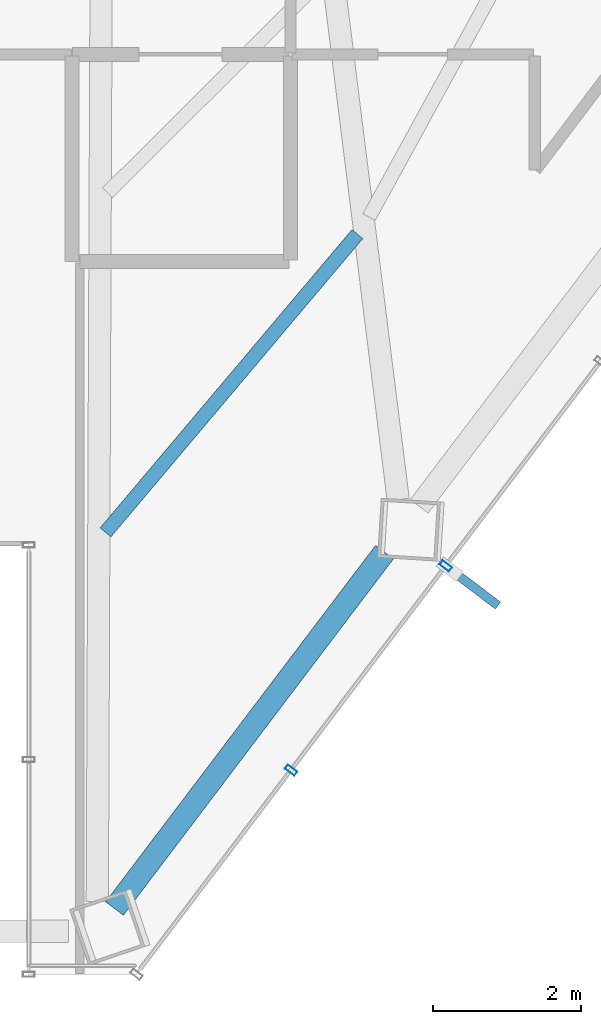
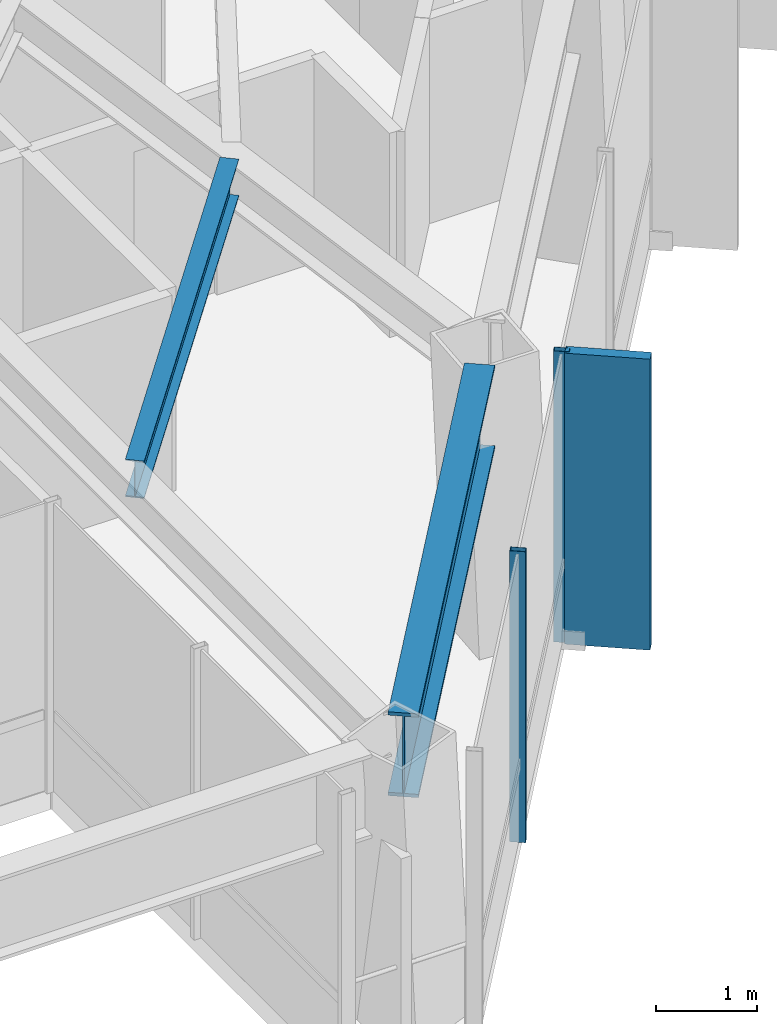
# One storey, part 18 of 30: 3 members, 2 beams, 1 element without a shape of its own.
"""IFC4 building model written with IfcOpenShell, lengths in metres."""

import ifcopenshell
import ifcopenshell.guid

model = None  # the IFC model being written
_history = None  # IfcOwnerHistory: only IFC2X3 demands one
_inside = {}  # id of a spatial element -> (the spatial element, [elements in it])
_under = {}  # id of a project, library or spatial element -> (it, [spatial elements below it])
_declared = {}  # id of a project -> (the project, [libraries it declares])
_typed = {}  # id of a type object -> (the type object, [elements of that type])
_made_of = {}  # id of a material, layer set ... -> (it, [elements and type objects made of it])


def new_model(schema):
    """Start an empty IFC model of exactly this schema.

    Asked for "IFC4X3", IfcOpenShell would pick the latest addendum, in which some entities
    have other attributes; the version numbers below select the first issue.
    IFC2X3 requires an IfcOwnerHistory on every rooted entity: one is made here for all.
    """
    global model, _history
    if schema == "IFC4X3":
        model = ifcopenshell.file(schema_version=(4, 3, 0, 0))
    else:
        model = ifcopenshell.file(schema=schema)
    _inside.clear()
    _under.clear()
    _declared.clear()
    _typed.clear()
    _made_of.clear()
    _history = None
    if model.schema == "IFC2X3":
        org = make("IfcOrganization", Name="unknown")
        user = make(
            "IfcPersonAndOrganization",
            ThePerson=make("IfcPerson", FamilyName="unknown"),
            TheOrganization=org,
        )
        app = make(
            "IfcApplication",
            ApplicationDeveloper=org,
            Version="unknown",
            ApplicationFullName="unknown",
            ApplicationIdentifier="unknown",
        )
        _history = make(
            "IfcOwnerHistory",
            OwningUser=user,
            OwningApplication=app,
            ChangeAction="ADDED",
            CreationDate=0,
        )
    return model


def make(cls, **values):
    """One entity of the class cls with the attributes given. An attribute that is None is left unset."""
    return model.create_entity(
        cls, **{name: value for name, value in values.items() if value is not None}
    )


def rooted(cls, **values):
    """An entity with a GlobalId (a new one), such as an element, a storey or a relation."""
    return make(cls, GlobalId=ifcopenshell.guid.new(), OwnerHistory=_history, **values)


def si_unit(unit_type, name, prefix=None):
    """IfcSIUnit, for example si_unit("LENGTHUNIT", "METRE", prefix="MILLI")."""
    return make("IfcSIUnit", UnitType=unit_type, Prefix=prefix, Name=name)


def assignment(units):
    """IfcUnitAssignment: the units of a project."""
    return None if units is None else make("IfcUnitAssignment", Units=units)


def point(xyz):
    """IfcCartesianPoint."""
    return None if xyz is None else make("IfcCartesianPoint", Coordinates=xyz)


def direction(xyz):
    """IfcDirection."""
    return None if xyz is None else make("IfcDirection", DirectionRatios=xyz)


def frame(location, z_axis=None, x_axis=None):
    """IfcAxis2Placement3D, a coordinate frame: its origin and axes. An axis left out is left unset."""
    return make(
        "IfcAxis2Placement3D",
        Location=point(location),
        Axis=direction(z_axis),
        RefDirection=direction(x_axis),
    )


def frame_2d(location, x_axis=None):
    """IfcAxis2Placement2D, a coordinate frame in the plane: its origin and x axis."""
    return make(
        "IfcAxis2Placement2D", Location=point(location), RefDirection=direction(x_axis)
    )


def origin():
    """The frame at (0, 0, 0) with its axes left unset."""
    return frame((0.0, 0.0, 0.0))


def origin_2d():
    """The frame at (0, 0) in the plane with its x axis left unset."""
    return frame_2d((0.0, 0.0))


def place(relative_to, where):
    """IfcLocalPlacement: puts the frame where relative to a parent placement (None: the world)."""
    return make(
        "IfcLocalPlacement", PlacementRelTo=relative_to, RelativePlacement=where
    )


def context(
    kind, dimensions, precision=None, world=None, true_north=None, identifier=None
):
    """IfcGeometricRepresentationContext, for example the 3D "Model" context."""
    return make(
        "IfcGeometricRepresentationContext",
        ContextIdentifier=identifier,
        ContextType=kind,
        CoordinateSpaceDimension=dimensions,
        Precision=precision,
        WorldCoordinateSystem=world,
        TrueNorth=true_north,
    )


def subcontext(parent, identifier, kind, view, scale=None):
    """IfcGeometricRepresentationSubContext, for example "Body" below "Model"."""
    return make(
        "IfcGeometricRepresentationSubContext",
        ContextIdentifier=identifier,
        ContextType=kind,
        ParentContext=parent,
        TargetScale=scale,
        TargetView=view,
    )


def project(units=None, contexts=None):
    """IfcProject with its units and contexts."""
    return rooted(
        "IfcProject",
        Name="project",
        RepresentationContexts=contexts,
        UnitsInContext=assignment(units),
    )


def spatial(cls, under=None, at=None, **own):
    """A site, building, storey or space (cls), placed at a placement, below another one or the project."""
    s = rooted(cls, ObjectPlacement=at, **own)
    if under is not None:
        _under.setdefault(under.id(), (under, []))[1].append(s)
    return s


def profile(cls, at=None, kind="AREA", **sizes):
    """A parametric profile (cls). Its sizes go by their IFC names, for example OverallWidth=200.0."""
    return make(cls, ProfileType=kind, Position=at, **sizes)


def rectangle(**sizes):
    """IfcRectangleProfileDef."""
    return profile("IfcRectangleProfileDef", **sizes)


def hollow_rectangle(**sizes):
    """IfcRectangleHollowProfileDef."""
    return profile("IfcRectangleHollowProfileDef", **sizes)


def i_section(**sizes):
    """IfcIShapeProfileDef."""
    return profile("IfcIShapeProfileDef", **sizes)


def extrude(swept, where, along, depth):
    """IfcExtrudedAreaSolid: the profile swept, set in the frame where, extruded along a direction by depth."""
    return make(
        "IfcExtrudedAreaSolid",
        SweptArea=swept,
        Position=where,
        ExtrudedDirection=direction(along),
        Depth=depth,
    )


def shape(context_of_items, identifier, shape_type, items):
    """IfcShapeRepresentation: the items that make up one representation, for example the "Body"."""
    return make(
        "IfcShapeRepresentation",
        ContextOfItems=context_of_items,
        RepresentationIdentifier=identifier,
        RepresentationType=shape_type,
        Items=items,
    )


def material(Name=None, Category=None):
    """IfcMaterial."""
    return make("IfcMaterial", Name=Name, Category=Category)


def layer(
    of_material, thickness, ventilated=None, Name=None, Category=None, Priority=None
):
    """IfcMaterialLayer: one layer of a wall or slab, of a material (None: an air gap)."""
    return make(
        "IfcMaterialLayer",
        Material=of_material,
        LayerThickness=thickness,
        IsVentilated=ventilated,
        Name=Name,
        Category=Category,
        Priority=Priority,
    )


def layer_set(layers, Name=None):
    """IfcMaterialLayerSet."""
    return make("IfcMaterialLayerSet", MaterialLayers=layers, LayerSetName=Name)


def material_profile(
    of_material, cross_section, Name=None, Category=None, Priority=None
):
    """IfcMaterialProfile: a cross section and its material."""
    return make(
        "IfcMaterialProfile",
        Name=Name,
        Material=of_material,
        Profile=cross_section,
        Priority=Priority,
        Category=Category,
    )


def profile_set(profiles, Name=None, composite=None):
    """IfcMaterialProfileSet."""
    return make(
        "IfcMaterialProfileSet",
        Name=Name,
        MaterialProfiles=profiles,
        CompositeProfile=composite,
    )


def made_of(thing, what):
    """Note that an element or type object is made of a material, layer set ...; save() writes the relation."""
    if what is not None:
        _made_of.setdefault(what.id(), (what, []))[1].append(thing)
    return thing


def type_object(cls, material=None, **own):
    """A type object (cls), such as IfcWallType, which elements share."""
    return made_of(rooted(cls, **own), material)


def element(
    cls,
    number,
    at=None,
    inside=None,
    cuts=None,
    type_object=None,
    material=None,
    context=None,
    identifier="Body",
    shape_type=None,
    held_by="IfcProductDefinitionShape",
    body=None,
    shapes=None,
    **own,
):
    """One element of the class cls, such as IfcWall. Its Tag is "e" and its number.

    at: its placement. inside: the storey or other place that contains it. cuts: it is an
    opening in that element (IfcRelVoidsElement). A single representation is given by context,
    identifier, shape_type and body (its items); several are given by shapes. held_by: the class
    of the entity that holds the representations. save() writes the other relations.
    """
    e = rooted(cls, Tag="e%d" % number, ObjectPlacement=at, **own)
    if body is not None:
        shapes = [shape(context, identifier, shape_type, body)]
    if shapes is not None:
        e.Representation = make(held_by, Representations=shapes)
    if inside is not None:
        _inside.setdefault(inside.id(), (inside, []))[1].append(e)
    if cuts is not None:
        rooted(
            "IfcRelVoidsElement", RelatingBuildingElement=cuts, RelatedOpeningElement=e
        )
    if type_object is not None:
        _typed.setdefault(type_object.id(), (type_object, []))[1].append(e)
    return made_of(e, material)


def aggregate(whole, parts):
    """IfcRelAggregates: a whole, such as a stair, and the parts it consists of."""
    return rooted("IfcRelAggregates", RelatingObject=whole, RelatedObjects=parts)


def save(model, path):
    """Write the relations noted so far, then the file.

    IfcRelAggregates (storeys below a building ...), IfcRelContainedInSpatialStructure (elements
    in a storey), IfcRelDefinesByType, IfcRelAssociatesMaterial and IfcRelDeclares: one each for
    every whole, place, type object, material and project.
    """
    for whole, parts in _under.values():
        aggregate(whole, parts)
    for where, things in _inside.values():
        rooted(
            "IfcRelContainedInSpatialStructure",
            RelatedElements=things,
            RelatingStructure=where,
        )
    for kind, things in _typed.values():
        rooted("IfcRelDefinesByType", RelatedObjects=things, RelatingType=kind)
    for what, things in _made_of.values():
        rooted("IfcRelAssociatesMaterial", RelatedObjects=things, RelatingMaterial=what)
    for by, libraries in _declared.values():
        rooted("IfcRelDeclares", RelatingContext=by, RelatedDefinitions=libraries)
    model.write(path)


model = new_model("IFC4")

# Units and contexts
model_context = context("Model", 3, precision=1e-05, world=origin(), true_north=direction((0.0, 1.0)))
body_context = subcontext(model_context, "Body", "Model", "MODEL_VIEW")
ifc_project = project(units=[si_unit("LENGTHUNIT", "METRE"), si_unit("AREAUNIT", "SQUARE_METRE"), si_unit("VOLUMEUNIT", "CUBIC_METRE"), si_unit("PLANEANGLEUNIT", "RADIAN"), si_unit("MASSUNIT", "GRAM", prefix="KILO")], contexts=[model_context])

# Site, building, storey
site_placement = place(None, origin())
site = spatial("IfcSite", under=ifc_project, at=site_placement, CompositionType="ELEMENT")
building_placement = place(site_placement, origin())
building = spatial("IfcBuilding", under=site, at=building_placement, Name="Zarrinselat Tower", CompositionType="ELEMENT")
storey_placement = place(building_placement, frame((0.0, 0.0, 160.820068359375)))
storey = spatial("IfcBuildingStorey", under=building, at=storey_placement, Name="L39", CompositionType="ELEMENT", Elevation=160.820068359375)

# Beams
ifc_material_1 = material(Name="Steel S460M", Category="steel")
ifc_material_profile_1 = material_profile(ifc_material_1, i_section(OverallWidth=0.302001953125, OverallDepth=1.008056640625, WebThickness=0.02099609375, FlangeThickness=0.0400390625, at=origin_2d()), Name="HEM 1000")
ifc_profile_set_1 = profile_set([ifc_material_profile_1], Name="Steel S460M")
beam_type_1 = type_object("IfcBeamType", Name="BM-HEM1000", PredefinedType="BEAM", material=ifc_profile_set_1)
beam_1_placement = place(storey_placement, frame((45.9736328125, 18.612548828125, 2.995849609375), z_axis=(0.603860801194, 0.79708978966, 0.0), x_axis=(-0.79708978966, 0.603860801194, 0.0)))
element("IfcBeam", 1, at=beam_1_placement, inside=storey, type_object=beam_type_1, Name="L39 Perimeter Spandrel Girder SP11", PredefinedType="BEAM", context=body_context, shape_type="SweptSolid", body=[
    extrude(i_section(OverallWidth=0.302001953125, OverallDepth=1.008056640625, WebThickness=0.02099609375, FlangeThickness=0.0400390625, at=origin_2d()), origin(), (0.0, 0.0, 1.0), 6.039306640625),
])
ifc_material_2 = material(Name="Steel S355J2", Category="steel")
ifc_material_profile_2 = material_profile(ifc_material_2, i_section(OverallWidth=0.18994140625, OverallDepth=0.449951171875, WebThickness=0.009521484375, FlangeThickness=0.0146484375, at=origin_2d()), Name="IPE 450")
ifc_profile_set_2 = profile_set([ifc_material_profile_2], Name="Steel S355J2")
beam_type_2 = type_object("IfcBeamType", Name="BM-IPE450", PredefinedType="JOIST", material=ifc_profile_set_2)
beam_2_placement = place(storey_placement, frame((45.8515625, 23.69287109375, 3.27490234375), z_axis=(0.64521144478, 0.764004052034, 0.0), x_axis=(-0.764004052034, 0.64521144478, 0.0)))
element("IfcBeam", 2, at=beam_2_placement, inside=storey, type_object=beam_type_2, Name="L39 Composite Floor Joist 3-1", PredefinedType="JOIST", context=body_context, shape_type="SweptSolid", body=[
    extrude(i_section(OverallWidth=0.18994140625, OverallDepth=0.449951171875, WebThickness=0.009521484375, FlangeThickness=0.0146484375, at=origin_2d()), origin(), (0.0, 0.0, 1.0), 5.273681640625),
])

# Curtain wall, members
ifc_material_3 = material(Name="Extruded Aluminium Alloy EN AW-6063 T6", Category="aluminium")
ifc_layer = layer(ifc_material_3, 0.175048828125)
ifc_layer_set = layer_set([ifc_layer], Name="Extruded Aluminium Alloy EN AW-6063 T6")
curtain_wall_type = type_object("IfcCurtainWallType", Name="CWS-HTL", PredefinedType="NOTDEFINED", material=ifc_layer_set)
curtain_wall_placement = place(storey_placement, origin())
curtain_wall = element("IfcCurtainWall", 3, at=curtain_wall_placement, inside=storey, type_object=curtain_wall_type, Name="L39 Unitised Curtain Wall CW-L39-E05", PredefinedType="NOTDEFINED")
ifc_material_4 = material(Name="Extruded Aluminium Alloy EN AW-6063 T6", Category="aluminium")
ifc_material_profile_3 = material_profile(ifc_material_4, hollow_rectangle(XDim=0.070068359375, YDim=0.159912109375, WallThickness=0.00390625, at=origin_2d()), Name="RHS 160x70x4")
ifc_profile_set_3 = profile_set([ifc_material_profile_3], Name="Extruded Aluminium Alloy EN AW-6063 T6")
member_type_1 = type_object("IfcMemberType", Name="MEM-CW-MUL2", PredefinedType="MULLION", material=ifc_profile_set_3)
member_1_placement = place(storey_placement, frame((50.447265625, 23.239013671875, 0.0), z_axis=(0.0, 0.0, 1.0), x_axis=(-0.603858522722, -0.797091515785, 0.0)))
member_1 = element("IfcMember", 4, at=member_1_placement, type_object=member_type_1, Name="CW-L39-E05 Mullion 7", PredefinedType="MULLION", context=body_context, shape_type="SweptSolid", body=[
    extrude(hollow_rectangle(XDim=0.070068359375, YDim=0.159912109375, WallThickness=0.00390625, at=origin_2d()), origin(), (0.0, 0.0, 1.0), 3.5),
])
member_2_placement = place(storey_placement, frame((48.35791015625, 20.481201171875, 0.0), z_axis=(0.0, 0.0, 1.0), x_axis=(-0.603858522722, -0.797091515785, 0.0)))
member_2 = element("IfcMember", 5, at=member_2_placement, type_object=member_type_1, Name="CW-L39-E05 Mullion 8", PredefinedType="MULLION", context=body_context, shape_type="SweptSolid", body=[
    extrude(hollow_rectangle(XDim=0.070068359375, YDim=0.159912109375, WallThickness=0.00390625, at=origin_2d()), origin(), (0.0, 0.0, 1.0), 3.5),
])
ifc_material_5 = material(Name="Honed Cream Travertine Stone", Category="masonry")
ifc_material_profile_4 = material_profile(ifc_material_5, rectangle(XDim=0.1201171875, YDim=0.85009765625, at=origin_2d()), Name="FIN 850x120")
ifc_profile_set_4 = profile_set([ifc_material_profile_4], Name="Honed Cream Travertine Stone")
member_type_2 = type_object("IfcMemberType", Name="MEM-STONE-FIN", PredefinedType="USERDEFINED", material=ifc_profile_set_4)
member_3_placement = place(storey_placement, frame((50.81396484375, 22.961181640625, 0.0), z_axis=(0.0, 0.0, 1.0), x_axis=(-0.603858522722, -0.797091515785, 0.0)))
member_3 = element("IfcMember", 6, at=member_3_placement, type_object=member_type_2, Name="L39 Stone Shading Fin CW-L39-E05-07", ObjectType="FIN", PredefinedType="USERDEFINED", context=body_context, shape_type="SweptSolid", body=[
    extrude(rectangle(XDim=0.1201171875, YDim=0.85009765625, at=origin_2d()), origin(), (0.0, 0.0, 1.0), 3.5),
])
aggregate(curtain_wall, [member_1, member_3, member_2])

save(model, "model.ifc")
